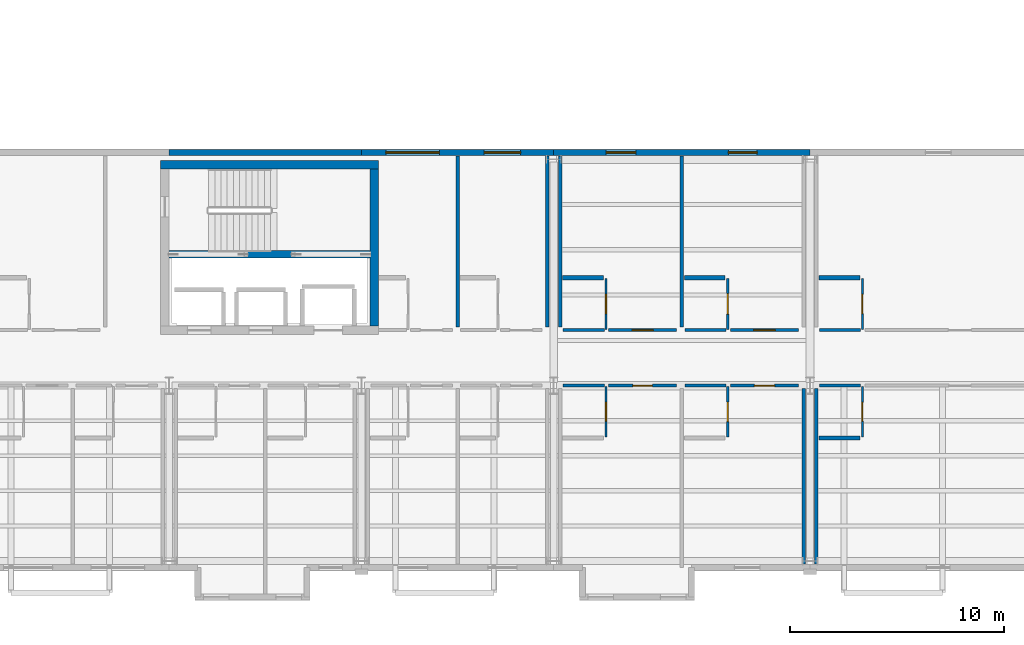
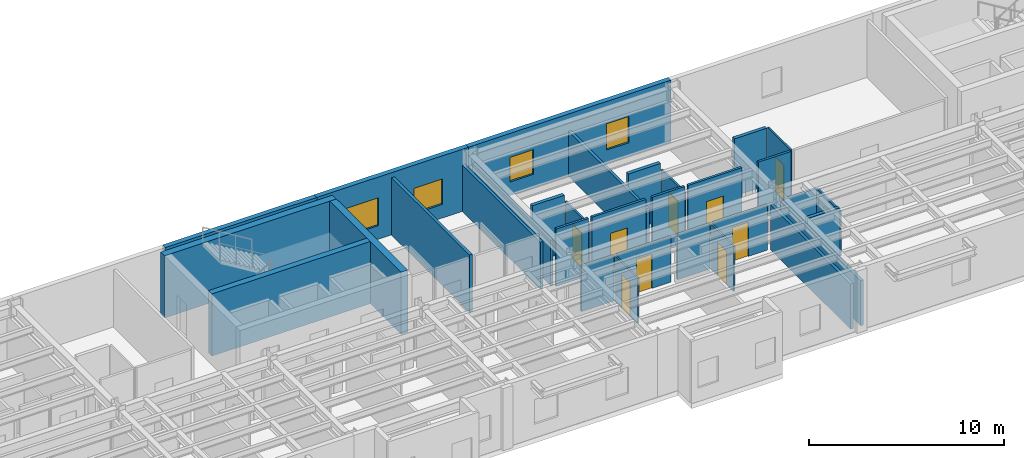
# One storey, part 42 of 59: 32 walls, 10 doors, 4 windows, 14 openings.
"""IFC4 building model written with IfcOpenShell, lengths in metres."""

from ifc_helpers import new_model, si_unit, direction, frame, frame_2d, origin, place, context, subcontext, project, spatial, rectangle, extrude, material, layer, layer_set, type_object, element, fill, save


model = new_model("IFC4")

# Units and contexts
model_context = context("Model", 3, precision=1e-05, world=origin(), true_north=direction((0.0, 1.0)))
body_context = subcontext(model_context, "Body", "Model", "MODEL_VIEW")
ifc_project = project(units=[si_unit("LENGTHUNIT", "METRE"), si_unit("AREAUNIT", "SQUARE_METRE"), si_unit("VOLUMEUNIT", "CUBIC_METRE"), si_unit("PLANEANGLEUNIT", "RADIAN"), si_unit("MASSUNIT", "GRAM", prefix="KILO")], contexts=[model_context])

# Site, building, storey
site_placement = place(None, origin())
site = spatial("IfcSite", under=ifc_project, at=site_placement, CompositionType="ELEMENT")
building_placement = place(site_placement, origin())
building = spatial("IfcBuilding", under=site, at=building_placement, Name="Sollismere Congress Hotel", CompositionType="ELEMENT")
storey_placement = place(building_placement, frame((0.0, 0.0, 15.60009765625)))
storey = spatial("IfcBuildingStorey", under=building, at=storey_placement, Name="L03", CompositionType="ELEMENT", Elevation=15.60009765625)

# Wall
ifc_material_1 = material(Name="Colorado Buff Sandstone Rainscreen on Insulated Backup", Category="masonry")
ifc_layer_1 = layer(ifc_material_1, 0.284912109375, Name="Colorado Buff Sandstone Rainscreen on Insulated Backup")
ifc_layer_set_1 = layer_set([ifc_layer_1], Name="Colorado Buff Sandstone Rainscreen on Insulated Backup")
wall_type_1 = type_object("IfcWallType", Name="WL-EXT285", PredefinedType="STANDARD", material=ifc_layer_set_1)
wall_1_placement = place(storey_placement, frame((103.0, 19.110107421875, 0.0), z_axis=(0.0, 0.0, 1.0), x_axis=(-1.0, 0.0, 0.0)))
element("IfcWall", 1, at=wall_1_placement, inside=storey, type_object=wall_type_1, Name="Exterior wall EW-L03-462", PredefinedType="STANDARD", context=body_context, shape_type="SweptSolid", body=[
    extrude(rectangle(XDim=9.0, YDim=0.284912109375, at=frame_2d((4.5, 0.0))), origin(), (0.0, 0.0, 1.0), 3.89990234375),
])

# Wall, openings, windows
wall_2_placement = place(storey_placement, frame((112.0, 19.110107421875, 0.0), z_axis=(0.0, 0.0, 1.0), x_axis=(-1.0, 0.0, 0.0)))
wall_2 = element("IfcWall", 2, at=wall_2_placement, inside=storey, type_object=wall_type_1, Name="Exterior wall EW-L03-463", PredefinedType="STANDARD", context=body_context, shape_type="SweptSolid", body=[
    extrude(rectangle(XDim=9.0, YDim=0.284912109375, at=frame_2d((4.5, 0.0))), origin(), (0.0, 0.0, 1.0), 3.89990234375),
])
opening_1_placement = place(wall_2_placement, frame((5.35009765625, 0.0, 0.85009765625)))
opening_1 = element("IfcOpeningElement", 3, at=opening_1_placement, cuts=wall_2, Name="Opening W-L03-353", PredefinedType="OPENING", context=body_context, shape_type="SweptSolid", body=[
    extrude(rectangle(XDim=2.5, YDim=1.75, at=frame_2d((1.25, 0.875))), frame((0.0, 0.15234375, 0.0), z_axis=(0.0, -1.0, 0.0), x_axis=(1.0, 0.0, 0.0)), (0.0, 0.0, 1.0), 0.304931640625),
])
opening_2_placement = place(wall_2_placement, frame((1.550048828125, 0.0, 0.85009765625)))
opening_2 = element("IfcOpeningElement", 4, at=opening_2_placement, cuts=wall_2, Name="Opening W-L03-354", PredefinedType="OPENING", context=body_context, shape_type="SweptSolid", body=[
    extrude(rectangle(XDim=1.699951171875, YDim=1.60009765625, at=frame_2d((0.85009765625, 0.800048828125))), frame((0.0, 0.15234375, 0.0), z_axis=(0.0, -1.0, 0.0), x_axis=(1.0, 0.0, 0.0)), (0.0, 0.0, 1.0), 0.304931640625),
])
ifc_material_2 = material(Name="Thermally Broken Bronze Aluminum & Low-E Glass", Category="aluminium")
window_type_1 = type_object("IfcWindowType", Name="WN-P170x160", PartitioningType="SINGLE_PANEL", PredefinedType="WINDOW", material=ifc_material_2)
window_1_placement = place(opening_2_placement, origin())
window_1 = element("IfcWindow", 5, at=window_1_placement, inside=storey, type_object=window_type_1, Name="WIN-W-L03-354", OverallHeight=1.60009765625, OverallWidth=1.699951171875, PartitioningType="SINGLE_PANEL", PredefinedType="WINDOW", context=body_context, shape_type="SweptSolid", body=[
    extrude(rectangle(XDim=1.699951171875, YDim=1.60009765625, at=frame_2d((0.85009765625, 0.800048828125))), frame((0.0, 0.030029296875, 0.0), z_axis=(0.0, -1.0, 0.0), x_axis=(1.0, 0.0, 0.0)), (0.0, 0.0, 1.0), 0.06005859375),
])
fill(opening_2, window_1)
window_type_2 = type_object("IfcWindowType", Name="WN-P250x175", PartitioningType="SINGLE_PANEL", PredefinedType="WINDOW", material=ifc_material_2)
window_2_placement = place(opening_1_placement, origin())
window_2 = element("IfcWindow", 6, at=window_2_placement, inside=storey, type_object=window_type_2, Name="WIN-W-L03-353", OverallHeight=1.75, OverallWidth=2.5, PartitioningType="SINGLE_PANEL", PredefinedType="WINDOW", context=body_context, shape_type="SweptSolid", body=[
    extrude(rectangle(XDim=2.5, YDim=1.75, at=frame_2d((1.25, 0.875))), frame((0.0, 0.030029296875, 0.0), z_axis=(0.0, -1.0, 0.0), x_axis=(1.0, 0.0, 0.0)), (0.0, 0.0, 1.0), 0.06005859375),
])
fill(opening_1, window_2)

wall_3_placement = place(storey_placement, frame((124.0, 19.110107421875, 0.0), z_axis=(0.0, 0.0, 1.0), x_axis=(-1.0, 0.0, 0.0)))
wall_3 = element("IfcWall", 7, at=wall_3_placement, inside=storey, type_object=wall_type_1, Name="Exterior wall EW-L03-464", PredefinedType="STANDARD", context=body_context, shape_type="SweptSolid", body=[
    extrude(rectangle(XDim=12.0, YDim=0.284912109375, at=frame_2d((6.0, 0.0))), origin(), (0.0, 0.0, 1.0), 3.89990234375),
])
opening_3_placement = place(wall_3_placement, frame((8.14990234375, 0.0, 0.85009765625)))
opening_3 = element("IfcOpeningElement", 8, at=opening_3_placement, cuts=wall_3, Name="Opening W-L03-355", PredefinedType="OPENING", context=body_context, shape_type="SweptSolid", body=[
    extrude(rectangle(XDim=1.39990234375, YDim=1.550048828125, at=frame_2d((0.699951171875, 0.77490234375))), frame((0.0, 0.15234375, 0.0), z_axis=(0.0, -1.0, 0.0), x_axis=(1.0, 0.0, 0.0)), (0.0, 0.0, 1.0), 0.304931640625),
])
opening_4_placement = place(wall_3_placement, frame((2.47509765625, 0.0, 0.85009765625)))
opening_4 = element("IfcOpeningElement", 9, at=opening_4_placement, cuts=wall_3, Name="Opening W-L03-356", PredefinedType="OPENING", context=body_context, shape_type="SweptSolid", body=[
    extrude(rectangle(XDim=1.35009765625, YDim=1.64990234375, at=frame_2d((0.675048828125, 0.824951171875))), frame((0.0, 0.15234375, 0.0), z_axis=(0.0, -1.0, 0.0), x_axis=(1.0, 0.0, 0.0)), (0.0, 0.0, 1.0), 0.304931640625),
])
window_type_3 = type_object("IfcWindowType", Name="WN-P135x165", PartitioningType="SINGLE_PANEL", PredefinedType="WINDOW", material=ifc_material_2)
window_3_placement = place(opening_4_placement, origin())
window_3 = element("IfcWindow", 10, at=window_3_placement, inside=storey, type_object=window_type_3, Name="WIN-W-L03-356", OverallHeight=1.64990234375, OverallWidth=1.35009765625, PartitioningType="SINGLE_PANEL", PredefinedType="WINDOW", context=body_context, shape_type="SweptSolid", body=[
    extrude(rectangle(XDim=1.35009765625, YDim=1.64990234375, at=frame_2d((0.675048828125, 0.824951171875))), frame((0.0, 0.030029296875, 0.0), z_axis=(0.0, -1.0, 0.0), x_axis=(1.0, 0.0, 0.0)), (0.0, 0.0, 1.0), 0.06005859375),
])
fill(opening_4, window_3)
window_type_4 = type_object("IfcWindowType", Name="WN-P140x155", PartitioningType="SINGLE_PANEL", PredefinedType="WINDOW", material=ifc_material_2)
window_4_placement = place(opening_3_placement, origin())
window_4 = element("IfcWindow", 11, at=window_4_placement, inside=storey, type_object=window_type_4, Name="WIN-W-L03-355", OverallHeight=1.550048828125, OverallWidth=1.39990234375, PartitioningType="SINGLE_PANEL", PredefinedType="WINDOW", context=body_context, shape_type="SweptSolid", body=[
    extrude(rectangle(XDim=1.39990234375, YDim=1.550048828125, at=frame_2d((0.699951171875, 0.77490234375))), frame((0.0, 0.030029296875, 0.0), z_axis=(0.0, -1.0, 0.0), x_axis=(1.0, 0.0, 0.0)), (0.0, 0.0, 1.0), 0.06005859375),
])
fill(opening_3, window_4)

# Walls
ifc_material_3 = material(Name="Moisture-Resistant Shaft Gypsum Assembly")
ifc_layer_2 = layer(ifc_material_3, 0.199951171875, Name="Moisture-Resistant Shaft Gypsum Assembly")
ifc_layer_set_2 = layer_set([ifc_layer_2], Name="Moisture-Resistant Shaft Gypsum Assembly")
wall_type_2 = type_object("IfcWallType", Name="WL-PLM200", PredefinedType="PLUMBINGWALL", material=ifc_layer_set_2)
wall_4_placement = place(storey_placement, frame((112.419921875, 13.25, 0.0), z_axis=(0.0, 0.0, 1.0), x_axis=(1.0, 0.0, 0.0)))
element("IfcWall", 12, at=wall_4_placement, inside=storey, type_object=wall_type_2, Name="Interior wall IW-L03-1341", PredefinedType="PLUMBINGWALL", context=body_context, shape_type="SweptSolid", body=[
    extrude(rectangle(XDim=1.91015625, YDim=0.199951171875, at=frame_2d((0.955078125, 0.0))), origin(), (0.0, 0.0, 1.0), 3.599853515625),
])
wall_5_placement = place(storey_placement, frame((118.1201171875, 13.25, 0.0), z_axis=(0.0, 0.0, 1.0), x_axis=(1.0, 0.0, 0.0)))
element("IfcWall", 13, at=wall_5_placement, inside=storey, type_object=wall_type_2, Name="Interior wall IW-L03-1346", PredefinedType="PLUMBINGWALL", context=body_context, shape_type="SweptSolid", body=[
    extrude(rectangle(XDim=1.909912109375, YDim=0.199951171875, at=frame_2d((0.955078125, 0.0))), origin(), (0.0, 0.0, 1.0), 3.599853515625),
])
wall_6_placement = place(storey_placement, frame((124.419921875, 5.75, 0.0), z_axis=(0.0, 0.0, 1.0), x_axis=(1.0, 0.0, 0.0)))
element("IfcWall", 14, at=wall_6_placement, inside=storey, type_object=wall_type_2, Name="Interior wall IW-L03-1352", PredefinedType="PLUMBINGWALL", context=body_context, shape_type="SweptSolid", body=[
    extrude(rectangle(XDim=1.91015625, YDim=0.199951171875, at=frame_2d((0.955078125, 0.0))), origin(), (0.0, 0.0, 1.0), 3.15283203125),
])
wall_7_placement = place(storey_placement, frame((124.419921875, 13.25, 0.0), z_axis=(0.0, 0.0, 1.0), x_axis=(1.0, 0.0, 0.0)))
element("IfcWall", 15, at=wall_7_placement, inside=storey, type_object=wall_type_2, Name="Interior wall IW-L03-1358", PredefinedType="PLUMBINGWALL", context=body_context, shape_type="SweptSolid", body=[
    extrude(rectangle(XDim=1.91015625, YDim=0.199951171875, at=frame_2d((0.955078125, 0.0))), origin(), (0.0, 0.0, 1.0), 3.599853515625),
])

# Wall, opening, door
ifc_material_4 = material(Name="Moisture-Resistant Gypsum Partition")
ifc_layer_3 = layer(ifc_material_4, 0.10009765625, Name="Moisture-Resistant Gypsum Partition")
ifc_layer_set_3 = layer_set([ifc_layer_3], Name="Moisture-Resistant Gypsum Partition")
wall_type_3 = type_object("IfcWallType", Name="WL-PRT100", PredefinedType="PARTITIONING", material=ifc_layer_set_3)
wall_8_placement = place(storey_placement, frame((114.449951171875, 5.7900390625, 0.0), z_axis=(0.0, 0.0, 1.0), x_axis=(0.0, 1.0, 0.0)))
wall_8 = element("IfcWall", 16, at=wall_8_placement, inside=storey, type_object=wall_type_3, Name="Interior wall IW-L03-1329", PredefinedType="PARTITIONING", context=body_context, shape_type="SweptSolid", body=[
    extrude(rectangle(XDim=2.369873046875, YDim=0.10009765625, at=frame_2d((1.18505859375, 0.0))), origin(), (0.0, 0.0, 1.0), 2.837890625),
])
opening_5_placement = place(wall_8_placement, frame((0.7451171875, 0.0, 0.0)))
opening_5 = element("IfcOpeningElement", 17, at=opening_5_placement, cuts=wall_8, Name="Opening D-L03-0470", PredefinedType="OPENING", context=body_context, shape_type="SweptSolid", body=[
    extrude(rectangle(XDim=0.8798828125, YDim=2.10009765625, at=frame_2d((0.43994140625, 1.050048828125))), frame((0.0, 0.06005859375, 0.0), z_axis=(0.0, -1.0, 0.0), x_axis=(1.0, 0.0, 0.0)), (0.0, 0.0, 1.0), 0.1201171875),
])
ifc_material_5 = material(Name="Moisture-Sealed Timber Bathroom Door", Category="wood")
door_type_1 = type_object("IfcDoorType", Name="DR-BT01", OperationType="NOTDEFINED", PredefinedType="DOOR", material=ifc_material_5)
door_1_placement = place(opening_5_placement, origin())
door_1 = element("IfcDoor", 18, at=door_1_placement, inside=storey, type_object=door_type_1, Name="En-suite bathroom door D-L03-0470", OperationType="SINGLE_SWING_LEFT", OverallHeight=2.10009765625, OverallWidth=0.8798828125, PredefinedType="DOOR", context=body_context, shape_type="SweptSolid", body=[
    extrude(rectangle(XDim=0.8798828125, YDim=2.10009765625, at=frame_2d((0.43994140625, 1.050048828125))), frame((0.0, 0.02490234375, 0.0), z_axis=(0.0, -1.0, 0.0), x_axis=(1.0, 0.0, 0.0)), (0.0, 0.0, 1.0), 0.050048828125),
])
fill(opening_5, door_1)

wall_9_placement = place(storey_placement, frame((120.14990234375, 5.7900390625, 0.0), z_axis=(0.0, 0.0, 1.0), x_axis=(0.0, 1.0, 0.0)))
wall_9 = element("IfcWall", 19, at=wall_9_placement, inside=storey, type_object=wall_type_3, Name="Interior wall IW-L03-1334", PredefinedType="PARTITIONING", context=body_context, shape_type="SweptSolid", body=[
    extrude(rectangle(XDim=2.369873046875, YDim=0.10009765625, at=frame_2d((1.18505859375, 0.0))), origin(), (0.0, 0.0, 1.0), 2.837890625),
])
opening_6_placement = place(wall_9_placement, frame((0.73291015625, 0.0, 0.0)))
opening_6 = element("IfcOpeningElement", 20, at=opening_6_placement, cuts=wall_9, Name="Opening D-L03-0472", PredefinedType="OPENING", context=body_context, shape_type="SweptSolid", body=[
    extrude(rectangle(XDim=0.905029296875, YDim=2.10009765625, at=frame_2d((0.45263671875, 1.050048828125))), frame((0.0, 0.06005859375, 0.0), z_axis=(0.0, -1.0, 0.0), x_axis=(1.0, 0.0, 0.0)), (0.0, 0.0, 1.0), 0.1201171875),
])
door_type_2 = type_object("IfcDoorType", Name="DR-BT02", OperationType="NOTDEFINED", PredefinedType="DOOR", material=ifc_material_5)
door_2_placement = place(opening_6_placement, origin())
door_2 = element("IfcDoor", 21, at=door_2_placement, inside=storey, type_object=door_type_2, Name="En-suite bathroom door D-L03-0472", OperationType="SINGLE_SWING_LEFT", OverallHeight=2.10009765625, OverallWidth=0.905029296875, PredefinedType="DOOR", context=body_context, shape_type="SweptSolid", body=[
    extrude(rectangle(XDim=0.905029296875, YDim=2.10009765625, at=frame_2d((0.45263671875, 1.050048828125))), frame((0.0, 0.02490234375, 0.0), z_axis=(0.0, -1.0, 0.0), x_axis=(1.0, 0.0, 0.0)), (0.0, 0.0, 1.0), 0.050048828125),
])
fill(opening_6, door_2)

wall_10_placement = place(storey_placement, frame((114.449951171875, 10.840087890625, 0.0), z_axis=(0.0, 0.0, 1.0), x_axis=(0.0, 1.0, 0.0)))
wall_10 = element("IfcWall", 22, at=wall_10_placement, inside=storey, type_object=wall_type_3, Name="Interior wall IW-L03-1340", PredefinedType="PARTITIONING", context=body_context, shape_type="SweptSolid", body=[
    extrude(rectangle(XDim=2.369873046875, YDim=0.10009765625, at=frame_2d((1.18505859375, 0.0))), origin(), (0.0, 0.0, 1.0), 3.157958984375),
])
opening_7_placement = place(wall_10_placement, frame((0.719970703125, 0.0, 0.0)))
opening_7 = element("IfcOpeningElement", 23, at=opening_7_placement, cuts=wall_10, Name="Opening D-L03-0474", PredefinedType="OPENING", context=body_context, shape_type="SweptSolid", body=[
    extrude(rectangle(XDim=0.929931640625, YDim=2.139892578125, at=frame_2d((0.46484375, 1.06982421875))), frame((0.0, 0.06005859375, 0.0), z_axis=(0.0, -1.0, 0.0), x_axis=(1.0, 0.0, 0.0)), (0.0, 0.0, 1.0), 0.1201171875),
])
door_type_3 = type_object("IfcDoorType", Name="DR-BT03", OperationType="NOTDEFINED", PredefinedType="DOOR", material=ifc_material_5)
door_3_placement = place(opening_7_placement, origin())
door_3 = element("IfcDoor", 24, at=door_3_placement, inside=storey, type_object=door_type_3, Name="En-suite bathroom door D-L03-0474", OperationType="SINGLE_SWING_LEFT", OverallHeight=2.139892578125, OverallWidth=0.929931640625, PredefinedType="DOOR", context=body_context, shape_type="SweptSolid", body=[
    extrude(rectangle(XDim=0.929931640625, YDim=2.139892578125, at=frame_2d((0.46484375, 1.06982421875))), frame((0.0, 0.02490234375, 0.0), z_axis=(0.0, -1.0, 0.0), x_axis=(1.0, 0.0, 0.0)), (0.0, 0.0, 1.0), 0.050048828125),
])
fill(opening_7, door_3)

wall_11_placement = place(storey_placement, frame((120.14990234375, 10.840087890625, 0.0), z_axis=(0.0, 0.0, 1.0), x_axis=(0.0, 1.0, 0.0)))
wall_11 = element("IfcWall", 25, at=wall_11_placement, inside=storey, type_object=wall_type_3, Name="Interior wall IW-L03-1345", PredefinedType="PARTITIONING", context=body_context, shape_type="SweptSolid", body=[
    extrude(rectangle(XDim=2.369873046875, YDim=0.10009765625, at=frame_2d((1.18505859375, 0.0))), origin(), (0.0, 0.0, 1.0), 3.157958984375),
])
opening_8_placement = place(wall_11_placement, frame((0.7080078125, 0.0, 0.0)))
opening_8 = element("IfcOpeningElement", 26, at=opening_8_placement, cuts=wall_11, Name="Opening D-L03-0476", PredefinedType="OPENING", context=body_context, shape_type="SweptSolid", body=[
    extrude(rectangle(XDim=0.955078125, YDim=2.139892578125, at=frame_2d((0.4775390625, 1.06982421875))), frame((0.0, 0.06005859375, 0.0), z_axis=(0.0, -1.0, 0.0), x_axis=(1.0, 0.0, 0.0)), (0.0, 0.0, 1.0), 0.1201171875),
])
door_type_4 = type_object("IfcDoorType", Name="DR-BT04", OperationType="NOTDEFINED", PredefinedType="DOOR", material=ifc_material_5)
door_4_placement = place(opening_8_placement, origin())
door_4 = element("IfcDoor", 27, at=door_4_placement, inside=storey, type_object=door_type_4, Name="En-suite bathroom door D-L03-0476", OperationType="SINGLE_SWING_LEFT", OverallHeight=2.139892578125, OverallWidth=0.955078125, PredefinedType="DOOR", context=body_context, shape_type="SweptSolid", body=[
    extrude(rectangle(XDim=0.955078125, YDim=2.139892578125, at=frame_2d((0.4775390625, 1.06982421875))), frame((0.0, 0.02490234375, 0.0), z_axis=(0.0, -1.0, 0.0), x_axis=(1.0, 0.0, 0.0)), (0.0, 0.0, 1.0), 0.050048828125),
])
fill(opening_8, door_4)

wall_12_placement = place(storey_placement, frame((126.449951171875, 5.7900390625, 0.0), z_axis=(0.0, 0.0, 1.0), x_axis=(0.0, 1.0, 0.0)))
wall_12 = element("IfcWall", 28, at=wall_12_placement, inside=storey, type_object=wall_type_3, Name="Interior wall IW-L03-1351", PredefinedType="PARTITIONING", context=body_context, shape_type="SweptSolid", body=[
    extrude(rectangle(XDim=2.369873046875, YDim=0.10009765625, at=frame_2d((1.18505859375, 0.0))), origin(), (0.0, 0.0, 1.0), 2.837890625),
])
opening_9_placement = place(wall_12_placement, frame((0.7451171875, 0.0, 0.0)))
opening_9 = element("IfcOpeningElement", 29, at=opening_9_placement, cuts=wall_12, Name="Opening D-L03-0478", PredefinedType="OPENING", context=body_context, shape_type="SweptSolid", body=[
    extrude(rectangle(XDim=0.8798828125, YDim=2.179931640625, at=frame_2d((0.43994140625, 1.08984375))), frame((0.0, 0.06005859375, 0.0), z_axis=(0.0, -1.0, 0.0), x_axis=(1.0, 0.0, 0.0)), (0.0, 0.0, 1.0), 0.1201171875),
])
door_type_5 = type_object("IfcDoorType", Name="DR-BT05", OperationType="NOTDEFINED", PredefinedType="DOOR", material=ifc_material_5)
door_5_placement = place(opening_9_placement, origin())
door_5 = element("IfcDoor", 30, at=door_5_placement, inside=storey, type_object=door_type_5, Name="En-suite bathroom door D-L03-0478", OperationType="SINGLE_SWING_LEFT", OverallHeight=2.179931640625, OverallWidth=0.8798828125, PredefinedType="DOOR", context=body_context, shape_type="SweptSolid", body=[
    extrude(rectangle(XDim=0.8798828125, YDim=2.179931640625, at=frame_2d((0.43994140625, 1.08984375))), frame((0.0, 0.02490234375, 0.0), z_axis=(0.0, -1.0, 0.0), x_axis=(1.0, 0.0, 0.0)), (0.0, 0.0, 1.0), 0.050048828125),
])
fill(opening_9, door_5)

wall_13_placement = place(storey_placement, frame((126.449951171875, 10.840087890625, 0.0), z_axis=(0.0, 0.0, 1.0), x_axis=(0.0, 1.0, 0.0)))
wall_13 = element("IfcWall", 31, at=wall_13_placement, inside=storey, type_object=wall_type_3, Name="Interior wall IW-L03-1357", PredefinedType="PARTITIONING", context=body_context, shape_type="SweptSolid", body=[
    extrude(rectangle(XDim=2.369873046875, YDim=0.10009765625, at=frame_2d((1.18505859375, 0.0))), origin(), (0.0, 0.0, 1.0), 3.599853515625),
])
opening_10_placement = place(wall_13_placement, frame((0.73291015625, 0.0, 0.0)))
opening_10 = element("IfcOpeningElement", 32, at=opening_10_placement, cuts=wall_13, Name="Opening D-L03-0480", PredefinedType="OPENING", context=body_context, shape_type="SweptSolid", body=[
    extrude(rectangle(XDim=0.905029296875, YDim=2.179931640625, at=frame_2d((0.45263671875, 1.08984375))), frame((0.0, 0.06005859375, 0.0), z_axis=(0.0, -1.0, 0.0), x_axis=(1.0, 0.0, 0.0)), (0.0, 0.0, 1.0), 0.1201171875),
])
door_type_6 = type_object("IfcDoorType", Name="DR-BT06", OperationType="NOTDEFINED", PredefinedType="DOOR", material=ifc_material_5)
door_6_placement = place(opening_10_placement, origin())
door_6 = element("IfcDoor", 33, at=door_6_placement, inside=storey, type_object=door_type_6, Name="En-suite bathroom door D-L03-0480", OperationType="SINGLE_SWING_LEFT", OverallHeight=2.179931640625, OverallWidth=0.905029296875, PredefinedType="DOOR", context=body_context, shape_type="SweptSolid", body=[
    extrude(rectangle(XDim=0.905029296875, YDim=2.179931640625, at=frame_2d((0.45263671875, 1.08984375))), frame((0.0, 0.02490234375, 0.0), z_axis=(0.0, -1.0, 0.0), x_axis=(1.0, 0.0, 0.0)), (0.0, 0.0, 1.0), 0.050048828125),
])
fill(opening_10, door_6)

# Wall
ifc_material_6 = material(Name="Fire-Rated Gypsum Partition")
ifc_layer_4 = layer(ifc_material_6, 0.139892578125, Name="Fire-Rated Gypsum Partition")
ifc_layer_set_4 = layer_set([ifc_layer_4], Name="Fire-Rated Gypsum Partition")
wall_type_4 = type_object("IfcWallType", Name="WL-PRT140R", PredefinedType="PARTITIONING", material=ifc_layer_set_4)
wall_14_placement = place(storey_placement, frame((112.43994140625, 8.199951171875, 0.0), z_axis=(0.0, 0.0, 1.0), x_axis=(1.0, 0.0, 0.0)))
element("IfcWall", 34, at=wall_14_placement, inside=storey, type_object=wall_type_4, Name="Interior wall IW-L03-1325", PredefinedType="PARTITIONING", context=body_context, shape_type="SweptSolid", body=[
    extrude(rectangle(XDim=1.93017578125, YDim=0.139892578125, at=frame_2d((0.965087890625, 0.0))), origin(), (0.0, 0.0, 1.0), 2.837890625),
])

# Wall, opening, door
wall_15_placement = place(storey_placement, frame((114.570068359375, 8.199951171875, 0.0), z_axis=(0.0, 0.0, 1.0), x_axis=(1.0, 0.0, 0.0)))
wall_15 = element("IfcWall", 35, at=wall_15_placement, inside=storey, type_object=wall_type_4, Name="Interior wall IW-L03-1326", PredefinedType="PARTITIONING", context=body_context, shape_type="SweptSolid", body=[
    extrude(rectangle(XDim=3.18994140625, YDim=0.139892578125, at=frame_2d((1.594970703125, 0.0))), origin(), (0.0, 0.0, 1.0), 2.837890625),
])
opening_11_placement = place(wall_15_placement, frame((1.135009765625, 0.0, 0.0)))
opening_11 = element("IfcOpeningElement", 36, at=opening_11_placement, cuts=wall_15, Name="Opening D-L03-0469", PredefinedType="OPENING", context=body_context, shape_type="SweptSolid", body=[
    extrude(rectangle(XDim=0.919921875, YDim=2.14990234375, at=frame_2d((0.4599609375, 1.074951171875))), frame((0.0, 0.079833984375, 0.0), z_axis=(0.0, -1.0, 0.0), x_axis=(1.0, 0.0, 0.0)), (0.0, 0.0, 1.0), 0.159912109375),
])
ifc_material_7 = material(Name="Solid-Core Acoustic Walnut Guestroom Entry Door")
door_type_7 = type_object("IfcDoorType", Name="DR-KY01", OperationType="NOTDEFINED", PredefinedType="DOOR", material=ifc_material_7)
door_7_placement = place(opening_11_placement, origin())
door_7 = element("IfcDoor", 37, at=door_7_placement, inside=storey, type_object=door_type_7, Name="Hotel room entry door D-L03-0469", OperationType="SINGLE_SWING_RIGHT", OverallHeight=2.14990234375, OverallWidth=0.919921875, PredefinedType="DOOR", context=body_context, shape_type="SweptSolid", body=[
    extrude(rectangle(XDim=0.919921875, YDim=2.14990234375, at=frame_2d((0.4599609375, 1.074951171875))), frame((0.0, 0.02490234375, 0.0), z_axis=(0.0, -1.0, 0.0), x_axis=(1.0, 0.0, 0.0)), (0.0, 0.0, 1.0), 0.050048828125),
])
fill(opening_11, door_7)

# Wall
wall_16_placement = place(storey_placement, frame((118.139892578125, 8.199951171875, 0.0), z_axis=(0.0, 0.0, 1.0), x_axis=(1.0, 0.0, 0.0)))
element("IfcWall", 38, at=wall_16_placement, inside=storey, type_object=wall_type_4, Name="Interior wall IW-L03-1331", PredefinedType="PARTITIONING", context=body_context, shape_type="SweptSolid", body=[
    extrude(rectangle(XDim=1.93017578125, YDim=0.139892578125, at=frame_2d((0.965087890625, 0.0))), origin(), (0.0, 0.0, 1.0), 2.837890625),
])

# Wall, opening, door
wall_17_placement = place(storey_placement, frame((120.27001953125, 8.199951171875, 0.0), z_axis=(0.0, 0.0, 1.0), x_axis=(1.0, 0.0, 0.0)))
wall_17 = element("IfcWall", 39, at=wall_17_placement, inside=storey, type_object=wall_type_4, Name="Interior wall IW-L03-1332", PredefinedType="PARTITIONING", context=body_context, shape_type="SweptSolid", body=[
    extrude(rectangle(XDim=3.18994140625, YDim=0.139892578125, at=frame_2d((1.594970703125, 0.0))), origin(), (0.0, 0.0, 1.0), 2.837890625),
])
opening_12_placement = place(wall_17_placement, frame((1.1201171875, 0.0, 0.0)))
opening_12 = element("IfcOpeningElement", 40, at=opening_12_placement, cuts=wall_17, Name="Opening D-L03-0471", PredefinedType="OPENING", context=body_context, shape_type="SweptSolid", body=[
    extrude(rectangle(XDim=0.949951171875, YDim=2.14990234375, at=frame_2d((0.47509765625, 1.074951171875))), frame((0.0, 0.079833984375, 0.0), z_axis=(0.0, -1.0, 0.0), x_axis=(1.0, 0.0, 0.0)), (0.0, 0.0, 1.0), 0.159912109375),
])
door_type_8 = type_object("IfcDoorType", Name="DR-KY02", OperationType="NOTDEFINED", PredefinedType="DOOR", material=ifc_material_7)
door_8_placement = place(opening_12_placement, origin())
door_8 = element("IfcDoor", 41, at=door_8_placement, inside=storey, type_object=door_type_8, Name="Hotel room entry door D-L03-0471", OperationType="SINGLE_SWING_RIGHT", OverallHeight=2.14990234375, OverallWidth=0.949951171875, PredefinedType="DOOR", context=body_context, shape_type="SweptSolid", body=[
    extrude(rectangle(XDim=0.949951171875, YDim=2.14990234375, at=frame_2d((0.47509765625, 1.074951171875))), frame((0.0, 0.02490234375, 0.0), z_axis=(0.0, -1.0, 0.0), x_axis=(1.0, 0.0, 0.0)), (0.0, 0.0, 1.0), 0.050048828125),
])
fill(opening_12, door_8)

# Wall
wall_18_placement = place(storey_placement, frame((112.43994140625, 10.800048828125, 0.0), z_axis=(0.0, 0.0, 1.0), x_axis=(1.0, 0.0, 0.0)))
element("IfcWall", 42, at=wall_18_placement, inside=storey, type_object=wall_type_4, Name="Interior wall IW-L03-1336", PredefinedType="PARTITIONING", context=body_context, shape_type="SweptSolid", body=[
    extrude(rectangle(XDim=1.93017578125, YDim=0.139892578125, at=frame_2d((0.965087890625, 0.0))), origin(), (0.0, 0.0, 1.0), 3.599853515625),
])

# Wall, opening, door
wall_19_placement = place(storey_placement, frame((114.570068359375, 10.800048828125, 0.0), z_axis=(0.0, 0.0, 1.0), x_axis=(1.0, 0.0, 0.0)))
wall_19 = element("IfcWall", 43, at=wall_19_placement, inside=storey, type_object=wall_type_4, Name="Interior wall IW-L03-1337", PredefinedType="PARTITIONING", context=body_context, shape_type="SweptSolid", body=[
    extrude(rectangle(XDim=3.18994140625, YDim=0.139892578125, at=frame_2d((1.594970703125, 0.0))), origin(), (0.0, 0.0, 1.0), 3.599853515625),
])
opening_13_placement = place(wall_19_placement, frame((1.10498046875, 0.0, 0.0)))
opening_13 = element("IfcOpeningElement", 44, at=opening_13_placement, cuts=wall_19, Name="Opening D-L03-0473", PredefinedType="OPENING", context=body_context, shape_type="SweptSolid", body=[
    extrude(rectangle(XDim=0.97998046875, YDim=2.199951171875, at=frame_2d((0.489990234375, 1.10009765625))), frame((0.0, 0.079833984375, 0.0), z_axis=(0.0, -1.0, 0.0), x_axis=(1.0, 0.0, 0.0)), (0.0, 0.0, 1.0), 0.159912109375),
])
door_type_9 = type_object("IfcDoorType", Name="DR-KY03", OperationType="NOTDEFINED", PredefinedType="DOOR", material=ifc_material_7)
door_9_placement = place(opening_13_placement, origin())
door_9 = element("IfcDoor", 45, at=door_9_placement, inside=storey, type_object=door_type_9, Name="Hotel room entry door D-L03-0473", OperationType="SINGLE_SWING_RIGHT", OverallHeight=2.199951171875, OverallWidth=0.97998046875, PredefinedType="DOOR", context=body_context, shape_type="SweptSolid", body=[
    extrude(rectangle(XDim=0.97998046875, YDim=2.199951171875, at=frame_2d((0.489990234375, 1.10009765625))), frame((0.0, 0.02490234375, 0.0), z_axis=(0.0, -1.0, 0.0), x_axis=(1.0, 0.0, 0.0)), (0.0, 0.0, 1.0), 0.050048828125),
])
fill(opening_13, door_9)

# Wall
wall_20_placement = place(storey_placement, frame((118.139892578125, 10.800048828125, 0.0), z_axis=(0.0, 0.0, 1.0), x_axis=(1.0, 0.0, 0.0)))
element("IfcWall", 46, at=wall_20_placement, inside=storey, type_object=wall_type_4, Name="Interior wall IW-L03-1342", PredefinedType="PARTITIONING", context=body_context, shape_type="SweptSolid", body=[
    extrude(rectangle(XDim=1.93017578125, YDim=0.139892578125, at=frame_2d((0.965087890625, 0.0))), origin(), (0.0, 0.0, 1.0), 3.599853515625),
])

# Wall, opening, door
wall_21_placement = place(storey_placement, frame((120.27001953125, 10.800048828125, 0.0), z_axis=(0.0, 0.0, 1.0), x_axis=(1.0, 0.0, 0.0)))
wall_21 = element("IfcWall", 47, at=wall_21_placement, inside=storey, type_object=wall_type_4, Name="Interior wall IW-L03-1343", PredefinedType="PARTITIONING", context=body_context, shape_type="SweptSolid", body=[
    extrude(rectangle(XDim=3.18994140625, YDim=0.139892578125, at=frame_2d((1.594970703125, 0.0))), origin(), (0.0, 0.0, 1.0), 3.599853515625),
])
opening_14_placement = place(wall_21_placement, frame((1.090087890625, 0.0, 0.0)))
opening_14 = element("IfcOpeningElement", 48, at=opening_14_placement, cuts=wall_21, Name="Opening D-L03-0475", PredefinedType="OPENING", context=body_context, shape_type="SweptSolid", body=[
    extrude(rectangle(XDim=1.010009765625, YDim=2.199951171875, at=frame_2d((0.5048828125, 1.10009765625))), frame((0.0, 0.079833984375, 0.0), z_axis=(0.0, -1.0, 0.0), x_axis=(1.0, 0.0, 0.0)), (0.0, 0.0, 1.0), 0.159912109375),
])
door_type_10 = type_object("IfcDoorType", Name="DR-KY04", OperationType="NOTDEFINED", PredefinedType="DOOR", material=ifc_material_7)
door_10_placement = place(opening_14_placement, origin())
door_10 = element("IfcDoor", 49, at=door_10_placement, inside=storey, type_object=door_type_10, Name="Hotel room entry door D-L03-0475", OperationType="SINGLE_SWING_RIGHT", OverallHeight=2.199951171875, OverallWidth=1.010009765625, PredefinedType="DOOR", context=body_context, shape_type="SweptSolid", body=[
    extrude(rectangle(XDim=1.010009765625, YDim=2.199951171875, at=frame_2d((0.5048828125, 1.10009765625))), frame((0.0, 0.02490234375, 0.0), z_axis=(0.0, -1.0, 0.0), x_axis=(1.0, 0.0, 0.0)), (0.0, 0.0, 1.0), 0.050048828125),
])
fill(opening_14, door_10)

# Walls
wall_22_placement = place(storey_placement, frame((124.43994140625, 8.199951171875, 0.0), z_axis=(0.0, 0.0, 1.0), x_axis=(1.0, 0.0, 0.0)))
element("IfcWall", 50, at=wall_22_placement, inside=storey, type_object=wall_type_4, Name="Interior wall IW-L03-1347", PredefinedType="PARTITIONING", context=body_context, shape_type="SweptSolid", body=[
    extrude(rectangle(XDim=1.93017578125, YDim=0.139892578125, at=frame_2d((0.965087890625, 0.0))), origin(), (0.0, 0.0, 1.0), 2.837890625),
])
wall_23_placement = place(storey_placement, frame((124.43994140625, 10.800048828125, 0.0), z_axis=(0.0, 0.0, 1.0), x_axis=(1.0, 0.0, 0.0)))
element("IfcWall", 51, at=wall_23_placement, inside=storey, type_object=wall_type_4, Name="Interior wall IW-L03-1353", PredefinedType="PARTITIONING", context=body_context, shape_type="SweptSolid", body=[
    extrude(rectangle(XDim=1.93017578125, YDim=0.139892578125, at=frame_2d((0.965087890625, 0.0))), origin(), (0.0, 0.0, 1.0), 3.599853515625),
])
ifc_material_8 = material(Name="Fire-Rated Acoustic Gypsum Partition")
ifc_layer_5 = layer(ifc_material_8, 0.1650390625, Name="Fire-Rated Acoustic Gypsum Partition")
ifc_layer_set_5 = layer_set([ifc_layer_5], Name="Fire-Rated Acoustic Gypsum Partition")
wall_type_5 = type_object("IfcWallType", Name="WL-PRT165R", PredefinedType="PARTITIONING", material=ifc_layer_set_5)
wall_24_placement = place(storey_placement, frame((107.5, 10.93994140625, 0.0), z_axis=(0.0, 0.0, 1.0), x_axis=(0.0, 1.0, 0.0)))
element("IfcWall", 52, at=wall_24_placement, inside=storey, type_object=wall_type_5, Name="Interior wall IW-L03-1317", PredefinedType="PARTITIONING", context=body_context, shape_type="SweptSolid", body=[
    extrude(rectangle(XDim=8.012451171875, YDim=0.1650390625, at=frame_2d((4.00634765625, 0.0))), origin(), (0.0, 0.0, 1.0), 3.599853515625),
])
wall_25_placement = place(storey_placement, frame((111.699951171875, 10.93994140625, 0.0), z_axis=(0.0, 0.0, 1.0), x_axis=(0.0, 1.0, 0.0)))
element("IfcWall", 53, at=wall_25_placement, inside=storey, type_object=wall_type_5, Name="Interior wall IW-L03-1322", PredefinedType="PARTITIONING", context=body_context, shape_type="SweptSolid", body=[
    extrude(rectangle(XDim=8.012451171875, YDim=0.1650390625, at=frame_2d((4.00634765625, 0.0))), origin(), (0.0, 0.0, 1.0), 2.928955078125),
])
wall_26_placement = place(storey_placement, frame((123.699951171875, -0.152587890625, 0.0), z_axis=(0.0, 0.0, 1.0), x_axis=(0.0, 1.0, 0.0)))
element("IfcWall", 54, at=wall_26_placement, inside=storey, type_object=wall_type_5, Name="Interior wall IW-L03-1333", PredefinedType="PARTITIONING", context=body_context, shape_type="SweptSolid", body=[
    extrude(rectangle(XDim=8.212646484375, YDim=0.1650390625, at=frame_2d((4.1064453125, 0.0))), origin(), (0.0, 0.0, 1.0), 2.837890625),
])
for number, where, z_axis, x_axis, name in (
    (55, (112.300048828125, 10.93994140625, 0.0), (0.0, 0.0, 1.0), (0.0, 1.0, 0.0), "Interior wall IW-L03-1338"),
    (56, (118.0, 10.93994140625, 0.0), (0.0, 0.0, 1.0), (0.0, 1.0, 0.0), "Interior wall IW-L03-1339"),
):
    element("IfcWall", number, at=place(storey_placement, frame(where, z_axis=z_axis, x_axis=x_axis)), inside=storey, type_object=wall_type_5, Name=name, PredefinedType="PARTITIONING", context=body_context, shape_type="SweptSolid", body=[
        extrude(rectangle(XDim=8.012451171875, YDim=0.1650390625, at=frame_2d((4.00634765625, 0.0))), origin(), (0.0, 0.0, 1.0), 2.837890625),
    ])
wall_27_placement = place(storey_placement, frame((124.300048828125, -0.152587890625, 0.0), z_axis=(0.0, 0.0, 1.0), x_axis=(0.0, 1.0, 0.0)))
element("IfcWall", 57, at=wall_27_placement, inside=storey, type_object=wall_type_5, Name="Interior wall IW-L03-1349", PredefinedType="PARTITIONING", context=body_context, shape_type="SweptSolid", body=[
    extrude(rectangle(XDim=8.212646484375, YDim=0.1650390625, at=frame_2d((4.1064453125, 0.0))), origin(), (0.0, 0.0, 1.0), 2.837890625),
])
ifc_material_9 = material(Name="Concrete C50/60", Category="concrete")
ifc_layer_6 = layer(ifc_material_9, 0.35009765625, Name="Concrete C50/60")
ifc_layer_set_6 = layer_set([ifc_layer_6], Name="Concrete C50/60")
wall_type_6 = type_object("IfcWallType", Name="WL-SHR350", PredefinedType="SHEAR", material=ifc_layer_set_6)
wall_28_placement = place(storey_placement, frame((94.0, 14.35009765625, 0.0), z_axis=(0.0, 0.0, 1.0), x_axis=(1.0, 0.0, 0.0)))
element("IfcWall", 58, at=wall_28_placement, inside=storey, type_object=wall_type_6, Name="Interior wall IW-L03-0265", PredefinedType="SHEAR", context=body_context, shape_type="SweptSolid", body=[
    extrude(rectangle(XDim=9.39990234375, YDim=0.35009765625, at=frame_2d((4.699951171875, 0.0))), origin(), (0.0, 0.0, 1.0), 3.89990234375),
])
ifc_layer_7 = layer(ifc_material_9, 0.39990234375, Name="Concrete C50/60")
ifc_layer_set_7 = layer_set([ifc_layer_7], Name="Concrete C50/60")
wall_type_7 = type_object("IfcWallType", Name="WL-SHR400", PredefinedType="SHEAR", material=ifc_layer_set_7)
wall_29_placement = place(storey_placement, frame((103.800048828125, 18.550048828125, 0.0), z_axis=(0.0, 0.0, 1.0), x_axis=(-1.0, 0.0, 0.0)))
element("IfcWall", 59, at=wall_29_placement, inside=storey, type_object=wall_type_7, Name="Interior wall IW-L03-0262", PredefinedType="SHEAR", context=body_context, shape_type="SweptSolid", body=[
    extrude(rectangle(XDim=10.199951171875, YDim=0.39990234375, at=frame_2d((5.10009765625, 0.0))), origin(), (0.0, 0.0, 1.0), 3.89990234375),
])
wall_30_placement = place(storey_placement, frame((103.60009765625, 11.0, 0.0), z_axis=(0.0, 0.0, 1.0), x_axis=(0.0, 1.0, 0.0)))
element("IfcWall", 60, at=wall_30_placement, inside=storey, type_object=wall_type_7, Name="Interior wall IW-L03-0264", PredefinedType="SHEAR", context=body_context, shape_type="SweptSolid", body=[
    extrude(rectangle(XDim=7.35009765625, YDim=0.39990234375, at=frame_2d((3.675048828125, 0.0))), origin(), (0.0, 0.0, 1.0), 3.89990234375),
])

save(model, "model.ifc")
